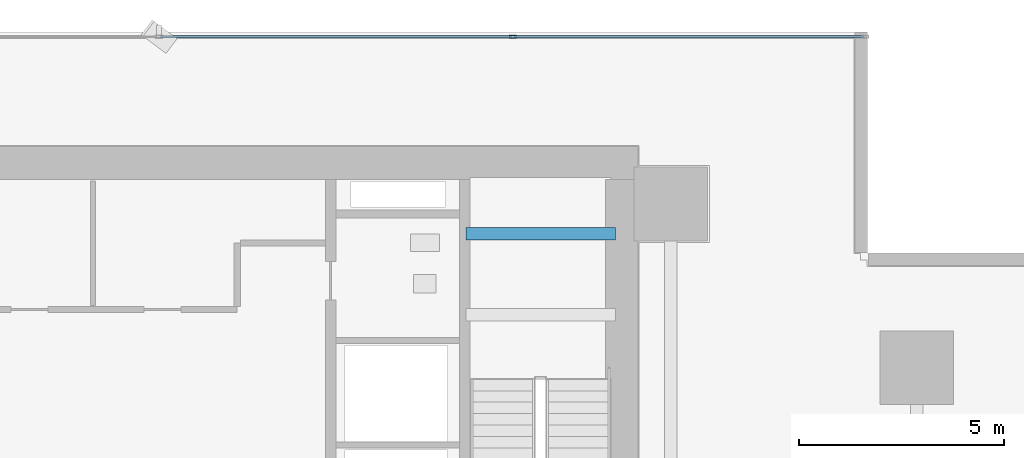
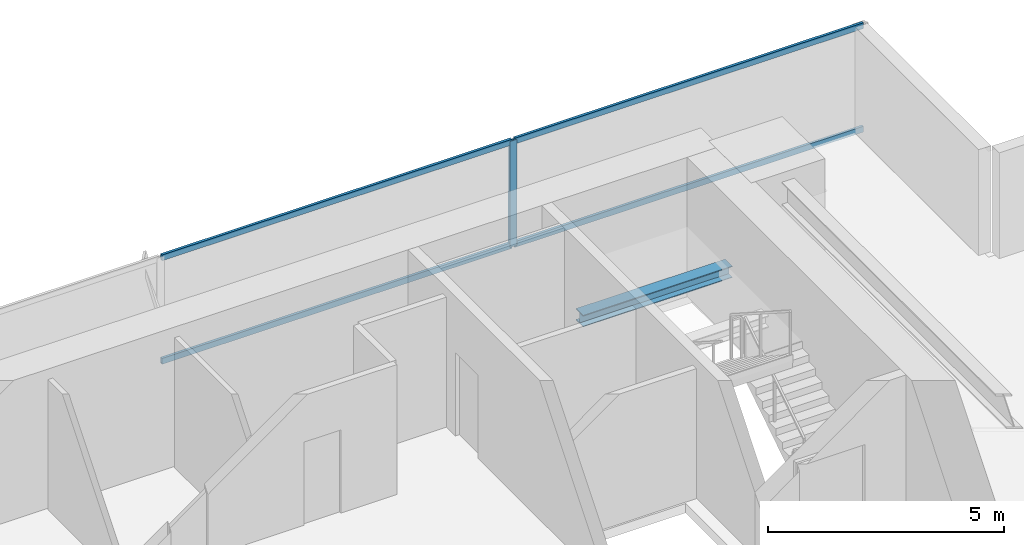
# One storey, part 22 of 34: 5 members, 1 beam, 1 element without a shape of its own.
"""IFC4 building model written with IfcOpenShell, lengths in metres."""

from ifc_helpers import new_model, si_unit, direction, frame, origin, origin_2d, place, context, subcontext, project, spatial, hollow_rectangle, i_section, extrude, source, transform, mapped, material, layer, layer_set, material_profile, profile_set, type_object, element, aggregate, save


model = new_model("IFC4")

# Units and contexts
model_context = context("Model", 3, precision=1e-05, world=origin(), true_north=direction((0.0, 1.0)))
body_context = subcontext(model_context, "Body", "Model", "MODEL_VIEW")
ifc_project = project(units=[si_unit("LENGTHUNIT", "METRE"), si_unit("AREAUNIT", "SQUARE_METRE"), si_unit("VOLUMEUNIT", "CUBIC_METRE"), si_unit("PLANEANGLEUNIT", "RADIAN"), si_unit("MASSUNIT", "GRAM", prefix="KILO")], contexts=[model_context])

# Site, building, storey
site_placement = place(None, origin())
site = spatial("IfcSite", under=ifc_project, at=site_placement, CompositionType="ELEMENT")
building_placement = place(site_placement, origin())
building = spatial("IfcBuilding", under=site, at=building_placement, Name="Sumidabori Civic Tower", CompositionType="ELEMENT")
storey_placement = place(building_placement, frame((0.0, 0.0, 56.0)))
storey = spatial("IfcBuildingStorey", under=building, at=storey_placement, Name="L14", CompositionType="ELEMENT", Elevation=56.0)

# Beam
ifc_material_1 = material(Name="Steel SN490", Category="steel")
ifc_material_profile_1 = material_profile(ifc_material_1, i_section(OverallWidth=0.300048828125, OverallDepth=0.300048828125, WebThickness=0.010986328125, FlangeThickness=0.01904296875, at=origin_2d()), Name="HE 300 B")
ifc_profile_set_1 = profile_set([ifc_material_profile_1], Name="Steel SN490")
beam_type = type_object("IfcBeamType", Name="BM-LDG-300", PredefinedType="BEAM", material=ifc_profile_set_1)
shared_shape_1 = source(origin(), body_context, "Body", "SweptSolid", [
    extrude(i_section(OverallWidth=0.300048828125, OverallDepth=0.300048828125, WebThickness=0.010986328125, FlangeThickness=0.01904296875, at=origin_2d()), origin(), (0.0, 0.0, 1.0), 3.64990234375),
])
beam_placement = place(storey_placement, frame((11.800048828125, 22.069580078125, 1.449951171875), z_axis=(1.0, 0.0, 0.0), x_axis=(0.0, 1.0, 0.0)))
element("IfcBeam", 1, at=beam_placement, inside=storey, type_object=beam_type, Name="Stair ST-2 Landing Trimmer Beam L14-1B", PredefinedType="BEAM", context=body_context, shape_type="MappedRepresentation", body=[
    mapped(shared_shape_1, transform((0.0, 0.0, 0.0), x_axis=(1.0, 0.0, 0.0), y_axis=(0.0, 1.0, 0.0), z_axis=(0.0, 0.0, 1.0), scale=1.0)),
])

# Curtain wall, members
ifc_material_2 = material(Name="Anodised Bronze Aluminium AW-6063-T6", Category="aluminium")
ifc_layer = layer(ifc_material_2, 0.179931640625, Name="Anodised Bronze Aluminium AW-6063-T6")
ifc_layer_set = layer_set([ifc_layer], Name="Anodised Bronze Aluminium AW-6063-T6")
curtain_wall_type = type_object("IfcCurtainWallType", Name="CW-SYS-2", PredefinedType="NOTDEFINED", material=ifc_layer_set)
curtain_wall_placement = place(storey_placement, origin())
curtain_wall = element("IfcCurtainWall", 2, at=curtain_wall_placement, inside=storey, type_object=curtain_wall_type, Name="Curtain Wall CW:L14:R07", PredefinedType="NOTDEFINED")
ifc_material_profile_2 = material_profile(ifc_material_2, hollow_rectangle(XDim=0.070068359375, YDim=0.179931640625, WallThickness=0.006103515625, at=origin_2d()), Name="ALU MULLION 180x70")
ifc_profile_set_2 = profile_set([ifc_material_profile_2], Name="Anodised Bronze Aluminium AW-6063-T6")
member_type_1 = type_object("IfcMemberType", Name="CW-MUL-180", PredefinedType="MULLION", material=ifc_profile_set_2)
shared_shape_2 = source(origin(), body_context, "Body", "SweptSolid", [
    extrude(hollow_rectangle(XDim=0.070068359375, YDim=0.179931640625, WallThickness=0.006103515625, at=origin_2d()), origin(), (0.0, 0.0, 1.0), 2.739990234375),
])
member_1_placement = place(storey_placement, frame((12.94189453125, 26.8798828125, 0.0), z_axis=(0.0, 0.0, 1.0), x_axis=(0.0, -1.0, 0.0)))
member_1 = element("IfcMember", 3, at=member_1_placement, type_object=member_type_1, Name="CW-2 mullion 2", PredefinedType="MULLION", context=body_context, shape_type="MappedRepresentation", body=[
    mapped(shared_shape_2, transform((0.0, 0.0, 0.0), x_axis=(1.0, 0.0, 0.0), y_axis=(0.0, 1.0, 0.0), z_axis=(0.0, 0.0, 1.0), scale=1.0)),
])
ifc_material_profile_3 = material_profile(ifc_material_2, hollow_rectangle(XDim=0.06494140625, YDim=0.14990234375, WallThickness=0.0048828125, at=origin_2d()), Name="ALU TRANSOM 150x65")
ifc_profile_set_3 = profile_set([ifc_material_profile_3], Name="Anodised Bronze Aluminium AW-6063-T6")
member_type_2 = type_object("IfcMemberType", Name="CW-TRN-150", PredefinedType="USERDEFINED", material=ifc_profile_set_3)
shared_shape_3 = source(origin(), body_context, "Body", "SweptSolid", [
    extrude(hollow_rectangle(XDim=0.06494140625, YDim=0.14990234375, WallThickness=0.0048828125, at=origin_2d()), origin(), (0.0, 0.0, 1.0), 8.52294921875),
])
member_2_placement = place(storey_placement, frame((21.5, 26.8798828125, 0.032470703125), z_axis=(-1.0, 0.0, 0.0), x_axis=(0.0, -1.0, 0.0)))
member_2 = element("IfcMember", 4, at=member_2_placement, type_object=member_type_2, Name="CW-2 transom 1.1", ObjectType="TRANSOM", PredefinedType="USERDEFINED", context=body_context, shape_type="MappedRepresentation", body=[
    mapped(shared_shape_3, transform((0.0, 0.0, 0.0), x_axis=(1.0, 0.0, 0.0), y_axis=(0.0, 1.0, 0.0), z_axis=(0.0, 0.0, 1.0), scale=1.0)),
])
member_3_placement = place(storey_placement, frame((21.5, 26.8798828125, 2.70751953125), z_axis=(-1.0, 0.0, 0.0), x_axis=(0.0, -1.0, 0.0)))
member_3 = element("IfcMember", 5, at=member_3_placement, type_object=member_type_2, Name="CW-2 transom 1.2", ObjectType="TRANSOM", PredefinedType="USERDEFINED", context=body_context, shape_type="MappedRepresentation", body=[
    mapped(shared_shape_3, transform((0.0, 0.0, 0.0), x_axis=(1.0, 0.0, 0.0), y_axis=(0.0, 1.0, 0.0), z_axis=(0.0, 0.0, 1.0), scale=1.0)),
])
shared_shape_4 = source(origin(), body_context, "Body", "SweptSolid", [
    extrude(hollow_rectangle(XDim=0.06494140625, YDim=0.14990234375, WallThickness=0.0048828125, at=origin_2d()), origin(), (0.0, 0.0, 1.0), 8.557861328125),
])
member_4_placement = place(storey_placement, frame((12.906982421875, 26.8798828125, 0.032470703125), z_axis=(-1.0, 0.0, 0.0), x_axis=(0.0, -1.0, 0.0)))
member_4 = element("IfcMember", 6, at=member_4_placement, type_object=member_type_2, Name="CW-2 transom 2.1", ObjectType="TRANSOM", PredefinedType="USERDEFINED", context=body_context, shape_type="MappedRepresentation", body=[
    mapped(shared_shape_4, transform((0.0, 0.0, 0.0), x_axis=(1.0, 0.0, 0.0), y_axis=(0.0, 1.0, 0.0), z_axis=(0.0, 0.0, 1.0), scale=1.0)),
])
member_5_placement = place(storey_placement, frame((12.906982421875, 26.8798828125, 2.70751953125), z_axis=(-1.0, 0.0, 0.0), x_axis=(0.0, -1.0, 0.0)))
member_5 = element("IfcMember", 7, at=member_5_placement, type_object=member_type_2, Name="CW-2 transom 2.2", ObjectType="TRANSOM", PredefinedType="USERDEFINED", context=body_context, shape_type="MappedRepresentation", body=[
    mapped(shared_shape_4, transform((0.0, 0.0, 0.0), x_axis=(1.0, 0.0, 0.0), y_axis=(0.0, 1.0, 0.0), z_axis=(0.0, 0.0, 1.0), scale=1.0)),
])
aggregate(curtain_wall, [member_1, member_2, member_3, member_4, member_5])

save(model, "model.ifc")
